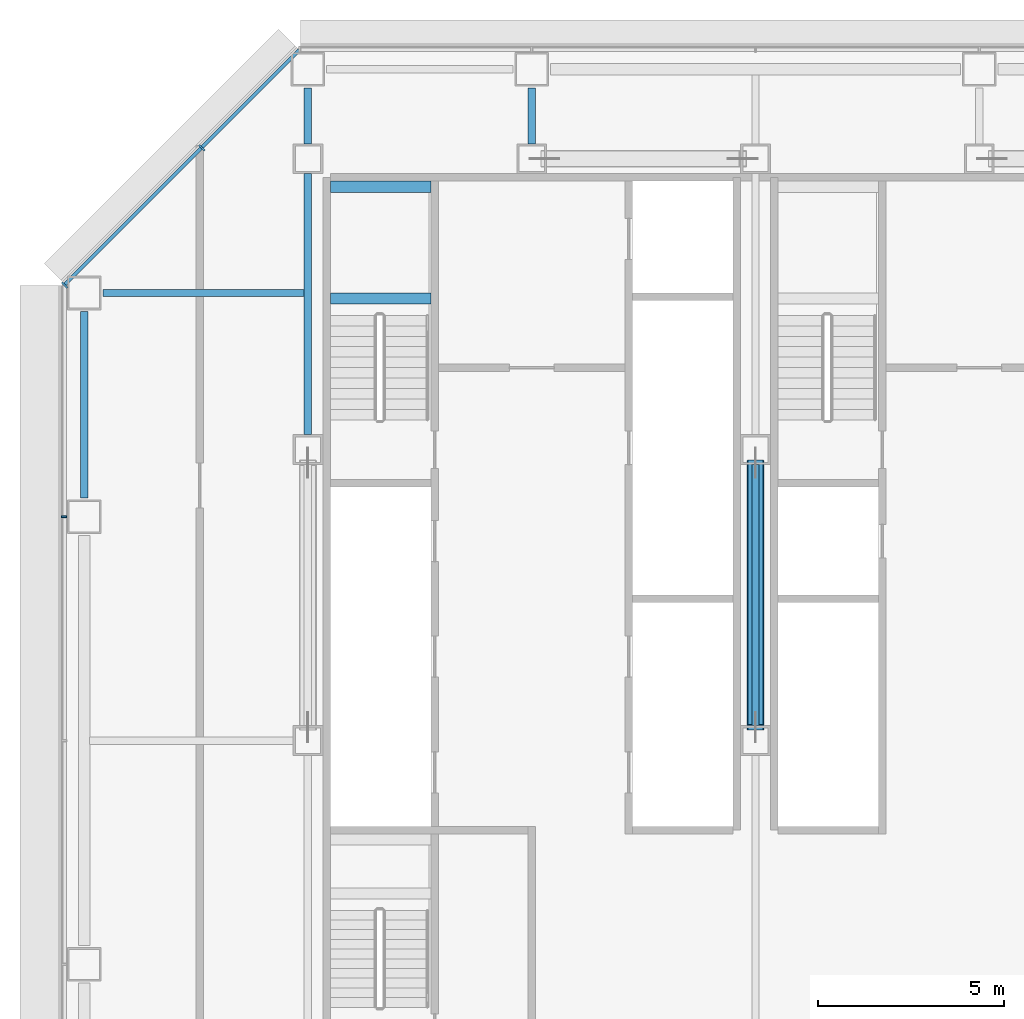
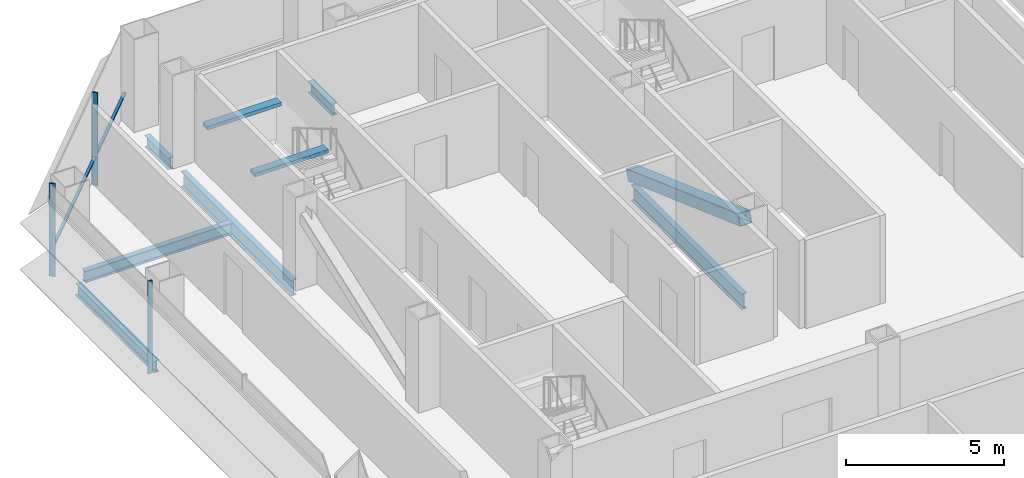
# One storey, part 11 of 27: 8 beams, 5 members, 2 elements without a shape of their own.
"""IFC4 building model written with IfcOpenShell, lengths in metres."""

import ifcopenshell
import ifcopenshell.guid

model = None  # the IFC model being written
_history = None  # IfcOwnerHistory: only IFC2X3 demands one
_inside = {}  # id of a spatial element -> (the spatial element, [elements in it])
_under = {}  # id of a project, library or spatial element -> (it, [spatial elements below it])
_declared = {}  # id of a project -> (the project, [libraries it declares])
_typed = {}  # id of a type object -> (the type object, [elements of that type])
_made_of = {}  # id of a material, layer set ... -> (it, [elements and type objects made of it])


def new_model(schema):
    """Start an empty IFC model of exactly this schema.

    Asked for "IFC4X3", IfcOpenShell would pick the latest addendum, in which some entities
    have other attributes; the version numbers below select the first issue.
    IFC2X3 requires an IfcOwnerHistory on every rooted entity: one is made here for all.
    """
    global model, _history
    if schema == "IFC4X3":
        model = ifcopenshell.file(schema_version=(4, 3, 0, 0))
    else:
        model = ifcopenshell.file(schema=schema)
    _inside.clear()
    _under.clear()
    _declared.clear()
    _typed.clear()
    _made_of.clear()
    _history = None
    if model.schema == "IFC2X3":
        org = make("IfcOrganization", Name="unknown")
        user = make(
            "IfcPersonAndOrganization",
            ThePerson=make("IfcPerson", FamilyName="unknown"),
            TheOrganization=org,
        )
        app = make(
            "IfcApplication",
            ApplicationDeveloper=org,
            Version="unknown",
            ApplicationFullName="unknown",
            ApplicationIdentifier="unknown",
        )
        _history = make(
            "IfcOwnerHistory",
            OwningUser=user,
            OwningApplication=app,
            ChangeAction="ADDED",
            CreationDate=0,
        )
    return model


def make(cls, **values):
    """One entity of the class cls with the attributes given. An attribute that is None is left unset."""
    return model.create_entity(
        cls, **{name: value for name, value in values.items() if value is not None}
    )


def rooted(cls, **values):
    """An entity with a GlobalId (a new one), such as an element, a storey or a relation."""
    return make(cls, GlobalId=ifcopenshell.guid.new(), OwnerHistory=_history, **values)


def si_unit(unit_type, name, prefix=None):
    """IfcSIUnit, for example si_unit("LENGTHUNIT", "METRE", prefix="MILLI")."""
    return make("IfcSIUnit", UnitType=unit_type, Prefix=prefix, Name=name)


def assignment(units):
    """IfcUnitAssignment: the units of a project."""
    return None if units is None else make("IfcUnitAssignment", Units=units)


def point(xyz):
    """IfcCartesianPoint."""
    return None if xyz is None else make("IfcCartesianPoint", Coordinates=xyz)


def direction(xyz):
    """IfcDirection."""
    return None if xyz is None else make("IfcDirection", DirectionRatios=xyz)


def frame(location, z_axis=None, x_axis=None):
    """IfcAxis2Placement3D, a coordinate frame: its origin and axes. An axis left out is left unset."""
    return make(
        "IfcAxis2Placement3D",
        Location=point(location),
        Axis=direction(z_axis),
        RefDirection=direction(x_axis),
    )


def frame_2d(location, x_axis=None):
    """IfcAxis2Placement2D, a coordinate frame in the plane: its origin and x axis."""
    return make(
        "IfcAxis2Placement2D", Location=point(location), RefDirection=direction(x_axis)
    )


def origin():
    """The frame at (0, 0, 0) with its axes left unset."""
    return frame((0.0, 0.0, 0.0))


def origin_2d():
    """The frame at (0, 0) in the plane with its x axis left unset."""
    return frame_2d((0.0, 0.0))


def place(relative_to, where):
    """IfcLocalPlacement: puts the frame where relative to a parent placement (None: the world)."""
    return make(
        "IfcLocalPlacement", PlacementRelTo=relative_to, RelativePlacement=where
    )


def context(
    kind, dimensions, precision=None, world=None, true_north=None, identifier=None
):
    """IfcGeometricRepresentationContext, for example the 3D "Model" context."""
    return make(
        "IfcGeometricRepresentationContext",
        ContextIdentifier=identifier,
        ContextType=kind,
        CoordinateSpaceDimension=dimensions,
        Precision=precision,
        WorldCoordinateSystem=world,
        TrueNorth=true_north,
    )


def subcontext(parent, identifier, kind, view, scale=None):
    """IfcGeometricRepresentationSubContext, for example "Body" below "Model"."""
    return make(
        "IfcGeometricRepresentationSubContext",
        ContextIdentifier=identifier,
        ContextType=kind,
        ParentContext=parent,
        TargetScale=scale,
        TargetView=view,
    )


def project(units=None, contexts=None):
    """IfcProject with its units and contexts."""
    return rooted(
        "IfcProject",
        Name="project",
        RepresentationContexts=contexts,
        UnitsInContext=assignment(units),
    )


def spatial(cls, under=None, at=None, **own):
    """A site, building, storey or space (cls), placed at a placement, below another one or the project."""
    s = rooted(cls, ObjectPlacement=at, **own)
    if under is not None:
        _under.setdefault(under.id(), (under, []))[1].append(s)
    return s


def profile(cls, at=None, kind="AREA", **sizes):
    """A parametric profile (cls). Its sizes go by their IFC names, for example OverallWidth=200.0."""
    return make(cls, ProfileType=kind, Position=at, **sizes)


def rectangle(**sizes):
    """IfcRectangleProfileDef."""
    return profile("IfcRectangleProfileDef", **sizes)


def hollow_rectangle(**sizes):
    """IfcRectangleHollowProfileDef."""
    return profile("IfcRectangleHollowProfileDef", **sizes)


def i_section(**sizes):
    """IfcIShapeProfileDef."""
    return profile("IfcIShapeProfileDef", **sizes)


def extrude(swept, where, along, depth):
    """IfcExtrudedAreaSolid: the profile swept, set in the frame where, extruded along a direction by depth."""
    return make(
        "IfcExtrudedAreaSolid",
        SweptArea=swept,
        Position=where,
        ExtrudedDirection=direction(along),
        Depth=depth,
    )


def shape(context_of_items, identifier, shape_type, items):
    """IfcShapeRepresentation: the items that make up one representation, for example the "Body"."""
    return make(
        "IfcShapeRepresentation",
        ContextOfItems=context_of_items,
        RepresentationIdentifier=identifier,
        RepresentationType=shape_type,
        Items=items,
    )


def material(Name=None, Category=None):
    """IfcMaterial."""
    return make("IfcMaterial", Name=Name, Category=Category)


def material_profile(
    of_material, cross_section, Name=None, Category=None, Priority=None
):
    """IfcMaterialProfile: a cross section and its material."""
    return make(
        "IfcMaterialProfile",
        Name=Name,
        Material=of_material,
        Profile=cross_section,
        Priority=Priority,
        Category=Category,
    )


def profile_set(profiles, Name=None, composite=None):
    """IfcMaterialProfileSet."""
    return make(
        "IfcMaterialProfileSet",
        Name=Name,
        MaterialProfiles=profiles,
        CompositeProfile=composite,
    )


def made_of(thing, what):
    """Note that an element or type object is made of a material, layer set ...; save() writes the relation."""
    if what is not None:
        _made_of.setdefault(what.id(), (what, []))[1].append(thing)
    return thing


def type_object(cls, material=None, **own):
    """A type object (cls), such as IfcWallType, which elements share."""
    return made_of(rooted(cls, **own), material)


def element(
    cls,
    number,
    at=None,
    inside=None,
    cuts=None,
    type_object=None,
    material=None,
    context=None,
    identifier="Body",
    shape_type=None,
    held_by="IfcProductDefinitionShape",
    body=None,
    shapes=None,
    **own,
):
    """One element of the class cls, such as IfcWall. Its Tag is "e" and its number.

    at: its placement. inside: the storey or other place that contains it. cuts: it is an
    opening in that element (IfcRelVoidsElement). A single representation is given by context,
    identifier, shape_type and body (its items); several are given by shapes. held_by: the class
    of the entity that holds the representations. save() writes the other relations.
    """
    e = rooted(cls, Tag="e%d" % number, ObjectPlacement=at, **own)
    if body is not None:
        shapes = [shape(context, identifier, shape_type, body)]
    if shapes is not None:
        e.Representation = make(held_by, Representations=shapes)
    if inside is not None:
        _inside.setdefault(inside.id(), (inside, []))[1].append(e)
    if cuts is not None:
        rooted(
            "IfcRelVoidsElement", RelatingBuildingElement=cuts, RelatedOpeningElement=e
        )
    if type_object is not None:
        _typed.setdefault(type_object.id(), (type_object, []))[1].append(e)
    return made_of(e, material)


def aggregate(whole, parts):
    """IfcRelAggregates: a whole, such as a stair, and the parts it consists of."""
    return rooted("IfcRelAggregates", RelatingObject=whole, RelatedObjects=parts)


def save(model, path):
    """Write the relations noted so far, then the file.

    IfcRelAggregates (storeys below a building ...), IfcRelContainedInSpatialStructure (elements
    in a storey), IfcRelDefinesByType, IfcRelAssociatesMaterial and IfcRelDeclares: one each for
    every whole, place, type object, material and project.
    """
    for whole, parts in _under.values():
        aggregate(whole, parts)
    for where, things in _inside.values():
        rooted(
            "IfcRelContainedInSpatialStructure",
            RelatedElements=things,
            RelatingStructure=where,
        )
    for kind, things in _typed.values():
        rooted("IfcRelDefinesByType", RelatedObjects=things, RelatingType=kind)
    for what, things in _made_of.values():
        rooted("IfcRelAssociatesMaterial", RelatedObjects=things, RelatingMaterial=what)
    for by, libraries in _declared.values():
        rooted("IfcRelDeclares", RelatingContext=by, RelatedDefinitions=libraries)
    model.write(path)


model = new_model("IFC4")

# Units and contexts
model_context = context("Model", 3, precision=1e-05, world=origin(), true_north=direction((0.0, 1.0)))
body_context = subcontext(model_context, "Body", "Model", "MODEL_VIEW")
ifc_project = project(units=[si_unit("LENGTHUNIT", "METRE"), si_unit("AREAUNIT", "SQUARE_METRE"), si_unit("VOLUMEUNIT", "CUBIC_METRE"), si_unit("PLANEANGLEUNIT", "RADIAN"), si_unit("MASSUNIT", "GRAM", prefix="KILO")], contexts=[model_context])

# Site, building, storey
site_placement = place(None, origin())
site = spatial("IfcSite", under=ifc_project, at=site_placement, CompositionType="ELEMENT")
building_placement = place(site_placement, origin())
building = spatial("IfcBuilding", under=site, at=building_placement, Name="Sorahane Residences", CompositionType="ELEMENT")
storey_placement = place(building_placement, frame((0.0, 0.0, 49.800048828125)))
storey = spatial("IfcBuildingStorey", under=building, at=storey_placement, Name="L08", CompositionType="ELEMENT", Elevation=49.800048828125)

# Member
ifc_material_1 = material(Name="Steel Q355B", Category="steel")
ifc_material_profile_1 = material_profile(ifc_material_1, hollow_rectangle(XDim=0.449951171875, YDim=0.449951171875, WallThickness=0.02197265625, InnerFilletRadius=0.010986328125, OuterFilletRadius=0.032958984375, at=origin_2d()), Name="RHS 450x450x22")
ifc_profile_set_1 = profile_set([ifc_material_profile_1], Name="Steel Q355B")
member_type_1 = type_object("IfcMemberType", Name="Core brace RHS 450x450x22 Q355B", PredefinedType="BRACE", material=ifc_profile_set_1)
member_1_placement = place(storey_placement, frame((18.0, 37.44580078125, 0.20849609375), z_axis=(0.0, -0.940886586011, 0.338721762313), x_axis=(1.0, 0.0, 0.0)))
element("IfcMember", 1, at=member_1_placement, inside=storey, type_object=member_type_1, Name="Core brace L08 x18-1", PredefinedType="BRACE", context=body_context, shape_type="SweptSolid", body=[
    extrude(hollow_rectangle(XDim=0.449951171875, YDim=0.449951171875, WallThickness=0.02197265625, InnerFilletRadius=0.010986328125, OuterFilletRadius=0.032958984375, at=origin_2d()), origin(), (0.0, 0.0, 1.0), 7.537109375),
])

# Curtain wall, member
ifc_material_2 = material(Name="Dark low-e glass and black anodised aluminium", Category="aluminium")
curtain_wall_type_1 = type_object("IfcCurtainWallType", Name="Curtain wall CW-1 Typical unitised wall", PredefinedType="NOTDEFINED", material=ifc_material_2)
curtain_wall_1_placement = place(storey_placement, origin())
curtain_wall_1 = element("IfcCurtainWall", 2, at=curtain_wall_1_placement, inside=storey, type_object=curtain_wall_type_1, Name="CW-1 curtain wall L08 W1", PredefinedType="NOTDEFINED")
ifc_material_3 = material(Name="Black anodised aluminium", Category="aluminium")
ifc_material_profile_2 = material_profile(ifc_material_3, rectangle(XDim=0.159912109375, YDim=0.050048828125, at=origin_2d()), Name="Curtain wall mullion CW-1 black anodised aluminium 50x160")
ifc_profile_set_2 = profile_set([ifc_material_profile_2], Name="Black anodised aluminium")
member_type_2 = type_object("IfcMemberType", Name="Curtain wall mullion CW-1 black anodised aluminium 50x160", PredefinedType="MULLION", material=ifc_profile_set_2)
member_2_placement = place(storey_placement, frame((-0.5400390625, 36.0, -0.179931640625), z_axis=(0.0, 0.0, 1.0), x_axis=(-1.0, 0.0, 0.0)))
member_2 = element("IfcMember", 3, at=member_2_placement, type_object=member_type_2, Name="CW-1 mullion L08 W1.2", PredefinedType="MULLION", context=body_context, shape_type="SweptSolid", body=[
    extrude(rectangle(XDim=0.159912109375, YDim=0.050048828125, at=origin_2d()), origin(), (0.0, 0.0, 1.0), 3.599853515625),
])
aggregate(curtain_wall_1, [member_2])

# Curtain wall, members
ifc_material_4 = material(Name="Dark low-e glass and black anodised aluminium", Category="aluminium")
curtain_wall_type_2 = type_object("IfcCurtainWallType", Name="Curtain wall CW-2 Chamfer unitised wall", PredefinedType="NOTDEFINED", material=ifc_material_4)
curtain_wall_2_placement = place(storey_placement, origin())
curtain_wall_2 = element("IfcCurtainWall", 4, at=curtain_wall_2_placement, inside=storey, type_object=curtain_wall_type_2, Name="CW-2 curtain wall L08 NW1", PredefinedType="NOTDEFINED")
ifc_material_5 = material(Name="Black anodised aluminium", Category="aluminium")
ifc_material_profile_3 = material_profile(ifc_material_5, rectangle(XDim=0.199951171875, YDim=0.050048828125, at=origin_2d()), Name="Curtain wall mullion CW-2 black anodised aluminium 50x200")
ifc_profile_set_3 = profile_set([ifc_material_profile_3], Name="Black anodised aluminium")
member_type_3 = type_object("IfcMemberType", Name="Curtain wall mullion CW-2 black anodised aluminium 50x200", PredefinedType="MULLION", material=ifc_profile_set_3)
member_3_placement = place(storey_placement, frame((3.15673828125, 45.89208984375, -0.179931640625), z_axis=(0.0, 0.0, 1.0), x_axis=(-0.707106781187, 0.707106781187, 0.0)))
member_3 = element("IfcMember", 5, at=member_3_placement, type_object=member_type_3, Name="CW-2 mullion L08 NW1.2", PredefinedType="MULLION", context=body_context, shape_type="SweptSolid", body=[
    extrude(rectangle(XDim=0.199951171875, YDim=0.050048828125, at=origin_2d()), origin(), (0.0, 0.0, 1.0), 3.599853515625),
])
member_4_placement = place(storey_placement, frame((-0.525634765625, 42.209716796875, -0.179931640625), z_axis=(0.0, 0.0, 1.0), x_axis=(-0.707106781187, 0.707106781187, 0.0)))
member_4 = element("IfcMember", 6, at=member_4_placement, type_object=member_type_3, Name="CW-2 mullion L08 NW1.3", PredefinedType="MULLION", context=body_context, shape_type="SweptSolid", body=[
    extrude(rectangle(XDim=0.199951171875, YDim=0.050048828125, at=origin_2d()), origin(), (0.0, 0.0, 1.0), 3.599853515625),
])
ifc_material_6 = material(Name="Black anodised aluminium", Category="aluminium")
ifc_material_profile_4 = material_profile(ifc_material_6, rectangle(XDim=0.10009765625, YDim=0.06005859375, at=origin_2d()), Name="Curtain wall transom CW-2 black anodised aluminium 60x100")
ifc_profile_set_4 = profile_set([ifc_material_profile_4], Name="Black anodised aluminium")
member_type_4 = type_object("IfcMemberType", Name="Curtain wall transom CW-2 black anodised aluminium 60x100", PredefinedType="USERDEFINED", material=ifc_profile_set_4)
member_5_placement = place(storey_placement, frame((5.765625, 48.51513671875, 0.89990234375), z_axis=(-0.707106781187, -0.707106781187, 0.0), x_axis=(0.707106781187, -0.707106781187, 0.0)))
member_5 = element("IfcMember", 7, at=member_5_placement, type_object=member_type_4, Name="CW-2 transom L08 NW1", ObjectType="TRANSOM", PredefinedType="USERDEFINED", context=body_context, shape_type="SweptSolid", body=[
    extrude(rectangle(XDim=0.10009765625, YDim=0.06005859375, at=origin_2d()), origin(), (0.0, 0.0, 1.0), 8.88232421875),
])
aggregate(curtain_wall_2, [member_3, member_4, member_5])

# Beams
ifc_material_7 = material(Name="Concrete C40", Category="concrete")
ifc_material_profile_5 = material_profile(ifc_material_7, rectangle(XDim=0.300048828125, YDim=0.139892578125, at=origin_2d()), Name="300x140")
ifc_profile_set_5 = profile_set([ifc_material_profile_5], Name="Concrete C40")
beam_type_1 = type_object("IfcBeamType", Name="RC landing beam 300 x 140 Concrete C40", PredefinedType="BEAM", material=ifc_profile_set_5)
for number, where, z_axis, x_axis, name in (
    (8, (6.60009765625, 41.85009765625, 1.530029296875), (1.0, 0.0, 0.0), (0.0, 1.0, 0.0), "Landing beam"),
    (9, (6.60009765625, 44.85009765625, 1.530029296875), (1.0, 0.0, 0.0), (0.0, 1.0, 0.0), "Landing beam"),
):
    element("IfcBeam", number, at=place(storey_placement, frame(where, z_axis=z_axis, x_axis=x_axis)), inside=storey, type_object=beam_type_1, Name=name, PredefinedType="BEAM", context=body_context, shape_type="SweptSolid", body=[
        extrude(rectangle(XDim=0.300048828125, YDim=0.139892578125, at=origin_2d()), origin(), (0.0, 0.0, 1.0), 2.699951171875),
    ])
ifc_material_8 = material(Name="Steel Q355B", Category="steel")
ifc_material_profile_6 = material_profile(ifc_material_8, i_section(OverallWidth=0.199951171875, OverallDepth=0.449951171875, WebThickness=0.009033203125, FlangeThickness=0.013916015625, FilletRadius=0.02001953125, at=origin_2d()), Name="HN 450x200x9x14")
ifc_profile_set_6 = profile_set([ifc_material_profile_6], Name="Steel Q355B")
beam_type_2 = type_object("IfcBeamType", Name="Steel floor beam HN 450x200x9x14 Q355B", PredefinedType="BEAM", material=ifc_profile_set_6)
beam_1_placement = place(storey_placement, frame((0.0, 36.5, -0.405029296875), z_axis=(0.0, 1.0, 0.0), x_axis=(-1.0, 0.0, 0.0)))
element("IfcBeam", 10, at=beam_1_placement, inside=storey, type_object=beam_type_2, Name="Beam L08 020", PredefinedType="BEAM", context=body_context, shape_type="SweptSolid", body=[
    extrude(i_section(OverallWidth=0.199951171875, OverallDepth=0.449951171875, WebThickness=0.009033203125, FlangeThickness=0.013916015625, FilletRadius=0.02001953125, at=origin_2d()), origin(), (0.0, 0.0, 1.0), 5.0),
])
for number, where, z_axis, x_axis, name in (
    (11, (6.0, 46.0, -0.405029296875), (0.0, 1.0, 0.0), (-1.0, 0.0, 0.0), "Beam L08 026"),
    (12, (12.0, 46.0, -0.405029296875), (0.0, 1.0, 0.0), (-1.0, 0.0, 0.0), "Beam L08 028"),
):
    element("IfcBeam", number, at=place(storey_placement, frame(where, z_axis=z_axis, x_axis=x_axis)), inside=storey, type_object=beam_type_2, Name=name, PredefinedType="BEAM", context=body_context, shape_type="SweptSolid", body=[
        extrude(i_section(OverallWidth=0.199951171875, OverallDepth=0.449951171875, WebThickness=0.009033203125, FlangeThickness=0.013916015625, FilletRadius=0.02001953125, at=origin_2d()), origin(), (0.0, 0.0, 1.0), 1.5),
    ])
beam_2_placement = place(storey_placement, frame((0.5, 42.0, -0.405029296875), z_axis=(1.0, 0.0, 0.0), x_axis=(0.0, 1.0, 0.0)))
element("IfcBeam", 13, at=beam_2_placement, inside=storey, type_object=beam_type_2, Name="Beam L08 079", PredefinedType="BEAM", context=body_context, shape_type="SweptSolid", body=[
    extrude(i_section(OverallWidth=0.199951171875, OverallDepth=0.449951171875, WebThickness=0.009033203125, FlangeThickness=0.013916015625, FilletRadius=0.02001953125, at=origin_2d()), origin(), (0.0, 0.0, 1.0), 5.39990234375),
])
ifc_material_9 = material(Name="Steel Q355B", Category="steel")
ifc_material_profile_7 = material_profile(ifc_material_9, i_section(OverallWidth=0.199951171875, OverallDepth=0.60009765625, WebThickness=0.010986328125, FlangeThickness=0.01708984375, FilletRadius=0.02392578125, at=origin_2d()), Name="HN 600x200x11x17")
ifc_profile_set_7 = profile_set([ifc_material_profile_7], Name="Steel Q355B")
beam_type_3 = type_object("IfcBeamType", Name="Steel floor beam HN 600x200x11x17 Q355B", PredefinedType="BEAM", material=ifc_profile_set_7)
for number, where, z_axis, x_axis, name in (
    (14, (6.0, 38.199951171875, -0.47998046875), (0.0, 1.0, 0.0), (-1.0, 0.0, 0.0), "Beam L08 025"),
    (15, (18.0, 30.39990234375, -0.47998046875), (0.0, 1.0, 0.0), (-1.0, 0.0, 0.0), "Beam L08 032"),
):
    element("IfcBeam", number, at=place(storey_placement, frame(where, z_axis=z_axis, x_axis=x_axis)), inside=storey, type_object=beam_type_3, Name=name, PredefinedType="BEAM", context=body_context, shape_type="SweptSolid", body=[
        extrude(i_section(OverallWidth=0.199951171875, OverallDepth=0.60009765625, WebThickness=0.010986328125, FlangeThickness=0.01708984375, FilletRadius=0.02392578125, at=origin_2d()), origin(), (0.0, 0.0, 1.0), 7.0),
    ])

save(model, "model.ifc")
